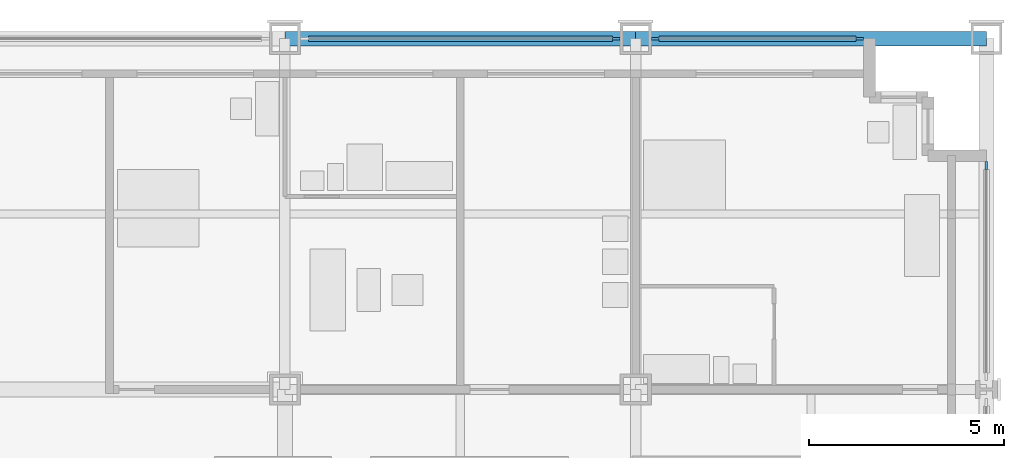
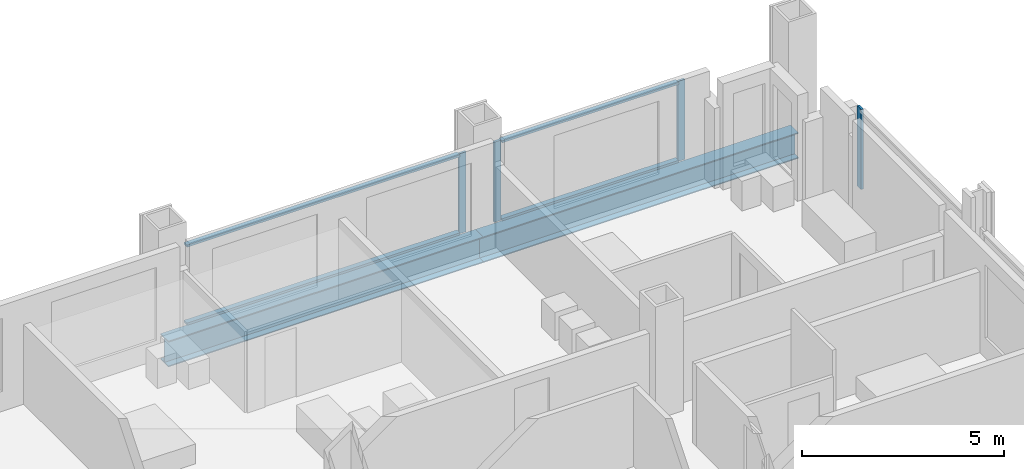
# One storey, part 8 of 18: 8 members, 2 beams, 3 elements without a shape of their own.
"""IFC4 building model written with IfcOpenShell, lengths in metres."""

from ifc_helpers import new_model, si_unit, direction, frame, origin, origin_2d, place, context, subcontext, project, spatial, rectangle, i_section, extrude, material, material_profile, profile_set, type_object, element, aggregate, save


model = new_model("IFC4")

# Units and contexts
model_context = context("Model", 3, precision=1e-05, world=origin(), true_north=direction((0.0, 1.0)))
body_context = subcontext(model_context, "Body", "Model", "MODEL_VIEW")
ifc_project = project(units=[si_unit("LENGTHUNIT", "METRE"), si_unit("AREAUNIT", "SQUARE_METRE"), si_unit("VOLUMEUNIT", "CUBIC_METRE"), si_unit("PLANEANGLEUNIT", "RADIAN"), si_unit("MASSUNIT", "GRAM", prefix="KILO")], contexts=[model_context])

# Site, building, storey
site_placement = place(None, origin())
site = spatial("IfcSite", under=ifc_project, at=site_placement, CompositionType="ELEMENT")
building_placement = place(site_placement, origin())
building = spatial("IfcBuilding", under=site, at=building_placement, Name="Loomwork Tower", CompositionType="ELEMENT")
storey_placement = place(building_placement, frame((0.0, 0.0, 58.60009765625)))
storey = spatial("IfcBuildingStorey", under=building, at=storey_placement, Name="L14", CompositionType="ELEMENT", Elevation=58.60009765625)

# Curtain wall, member
ifc_material_1 = material(Name="Aluminium curtain wall frame", Category="aluminium")
curtain_wall_type = type_object("IfcCurtainWallType", Name="Outer skin glazing hotel", PredefinedType="NOTDEFINED", material=ifc_material_1)
curtain_wall_1_placement = place(storey_placement, origin())
curtain_wall_1 = element("IfcCurtainWall", 1, at=curtain_wall_1_placement, inside=storey, type_object=curtain_wall_type, Name="Outer skin glazing hotel cw/N-36", PredefinedType="NOTDEFINED")
ifc_material_2 = material(Name="Aluminium curtain wall frame", Category="aluminium")
ifc_material_profile_1 = material_profile(ifc_material_2, rectangle(XDim=0.06494140625, YDim=0.199951171875, at=origin_2d()), Name="AL 65x200")
ifc_profile_set_1 = profile_set([ifc_material_profile_1], Name="Aluminium curtain wall frame")
member_type_1 = type_object("IfcMemberType", Name="Outer skin glazing hotel mullion", PredefinedType="MULLION", material=ifc_profile_set_1)
member_1_placement = place(storey_placement, frame((44.5, 36.0, 0.0), z_axis=(0.0, 0.0, 1.0), x_axis=(0.0, -1.0, 0.0)))
member_1 = element("IfcMember", 2, at=member_1_placement, type_object=member_type_1, Name="CW1 mullion 1", PredefinedType="MULLION", context=body_context, shape_type="SweptSolid", body=[
    extrude(rectangle(XDim=0.06494140625, YDim=0.199951171875, at=origin_2d()), origin(), (0.0, 0.0, 1.0), 2.420166015625),
])

# Curtain wall, members
curtain_wall_2_placement = place(storey_placement, origin())
curtain_wall_2 = element("IfcCurtainWall", 3, at=curtain_wall_2_placement, inside=storey, type_object=curtain_wall_type, Name="Outer skin glazing hotel cw/N-45", PredefinedType="NOTDEFINED")
member_2_placement = place(storey_placement, frame((50.75, 36.0, 0.0), z_axis=(0.0, 0.0, 1.0), x_axis=(0.0, -1.0, 0.0)))
member_2 = element("IfcMember", 4, at=member_2_placement, type_object=member_type_1, Name="CW1 mullion 1", PredefinedType="MULLION", context=body_context, shape_type="SweptSolid", body=[
    extrude(rectangle(XDim=0.06494140625, YDim=0.199951171875, at=origin_2d()), origin(), (0.0, 0.0, 1.0), 2.420166015625),
])
member_3_placement = place(storey_placement, frame((45.5, 36.0, 0.0), z_axis=(0.0, 0.0, 1.0), x_axis=(0.0, -1.0, 0.0)))
member_3 = element("IfcMember", 5, at=member_3_placement, type_object=member_type_1, Name="CW1 mullion 2", PredefinedType="MULLION", context=body_context, shape_type="SweptSolid", body=[
    extrude(rectangle(XDim=0.06494140625, YDim=0.199951171875, at=origin_2d()), origin(), (0.0, 0.0, 1.0), 2.420166015625),
])

# Curtain wall, member
curtain_wall_3_placement = place(storey_placement, origin())
curtain_wall_3 = element("IfcCurtainWall", 6, at=curtain_wall_3_placement, inside=storey, type_object=curtain_wall_type, Name="Outer skin glazing hotel cw/E-27", PredefinedType="NOTDEFINED")
member_4_placement = place(storey_placement, frame((54.0, 32.75, 0.0), z_axis=(0.0, 0.0, 1.0), x_axis=(-1.0, 0.0, 0.0)))
member_4 = element("IfcMember", 7, at=member_4_placement, type_object=member_type_1, Name="CW1 mullion 2", PredefinedType="MULLION", context=body_context, shape_type="SweptSolid", body=[
    extrude(rectangle(XDim=0.06494140625, YDim=0.199951171875, at=origin_2d()), origin(), (0.0, 0.0, 1.0), 2.420166015625),
])
aggregate(curtain_wall_3, [member_4])

# Member
ifc_material_3 = material(Name="Aluminium curtain wall frame", Category="aluminium")
ifc_material_profile_2 = material_profile(ifc_material_3, rectangle(XDim=0.14990234375, YDim=0.06494140625, at=origin_2d()), Name="AL 65x150")
ifc_profile_set_2 = profile_set([ifc_material_profile_2], Name="Aluminium curtain wall frame")
member_type_2 = type_object("IfcMemberType", Name="Outer skin glazing hotel transom", PredefinedType="USERDEFINED", material=ifc_profile_set_2)
member_5_placement = place(storey_placement, frame((44.39990234375, 36.0, 0.032470703125), z_axis=(-1.0, 0.0, 0.0), x_axis=(0.0, -1.0, 0.0)))
member_5 = element("IfcMember", 8, at=member_5_placement, type_object=member_type_2, Name="CW1 transom 1.1", ObjectType="TRANSOM", PredefinedType="USERDEFINED", context=body_context, shape_type="SweptSolid", body=[
    extrude(rectangle(XDim=0.14990234375, YDim=0.06494140625, at=origin_2d()), origin(), (0.0, 0.0, 1.0), 7.7998046875),
])

member_6_placement = place(storey_placement, frame((44.39990234375, 36.0, 2.3876953125), z_axis=(-1.0, 0.0, 0.0), x_axis=(0.0, -1.0, 0.0)))
member_6 = element("IfcMember", 9, at=member_6_placement, type_object=member_type_2, Name="CW1 transom 1.2", ObjectType="TRANSOM", PredefinedType="USERDEFINED", context=body_context, shape_type="SweptSolid", body=[
    extrude(rectangle(XDim=0.14990234375, YDim=0.06494140625, at=origin_2d()), origin(), (0.0, 0.0, 1.0), 7.7998046875),
])

aggregate(curtain_wall_1, [member_1, member_5, member_6])

member_7_placement = place(storey_placement, frame((50.64990234375, 36.0, 0.032470703125), z_axis=(-1.0, 0.0, 0.0), x_axis=(0.0, -1.0, 0.0)))
member_7 = element("IfcMember", 10, at=member_7_placement, type_object=member_type_2, Name="CW1 transom 1.1", ObjectType="TRANSOM", PredefinedType="USERDEFINED", context=body_context, shape_type="SweptSolid", body=[
    extrude(rectangle(XDim=0.14990234375, YDim=0.06494140625, at=origin_2d()), origin(), (0.0, 0.0, 1.0), 5.0498046875),
])

member_8_placement = place(storey_placement, frame((50.64990234375, 36.0, 2.3876953125), z_axis=(-1.0, 0.0, 0.0), x_axis=(0.0, -1.0, 0.0)))
member_8 = element("IfcMember", 11, at=member_8_placement, type_object=member_type_2, Name="CW1 transom 1.2", ObjectType="TRANSOM", PredefinedType="USERDEFINED", context=body_context, shape_type="SweptSolid", body=[
    extrude(rectangle(XDim=0.14990234375, YDim=0.06494140625, at=origin_2d()), origin(), (0.0, 0.0, 1.0), 5.0498046875),
])

aggregate(curtain_wall_2, [member_2, member_3, member_7, member_8])

# Beams
ifc_material_4 = material(Name="Steel ASTM A992", Category="steel")
ifc_material_profile_3 = material_profile(ifc_material_4, i_section(OverallWidth=0.381103515625, OverallDepth=0.77978515625, WebThickness=0.01806640625, FlangeThickness=0.0302734375, at=origin_2d()), Name="W30x191")
ifc_profile_set_3 = profile_set([ifc_material_profile_3], Name="Steel ASTM A992")
beam_type = type_object("IfcBeamType", Name="SPANDREL GIRDER W30x191", PredefinedType="SPANDREL", material=ifc_profile_set_3)
for number, where, z_axis, x_axis, name in (
    (12, (36.0, 36.0, -0.590087890625), (1.0, 0.0, 0.0), (0.0, 1.0, 0.0), "Spandrel Girder H/6-H/7 L14"),
    (13, (45.0, 36.0, -0.590087890625), (1.0, 0.0, 0.0), (0.0, 1.0, 0.0), "Spandrel Girder H/7-H/8 L14"),
):
    element("IfcBeam", number, at=place(storey_placement, frame(where, z_axis=z_axis, x_axis=x_axis)), inside=storey, type_object=beam_type, Name=name, PredefinedType="SPANDREL", context=body_context, shape_type="SweptSolid", body=[
        extrude(i_section(OverallWidth=0.381103515625, OverallDepth=0.77978515625, WebThickness=0.01806640625, FlangeThickness=0.0302734375, at=origin_2d()), origin(), (0.0, 0.0, 1.0), 9.0),
    ])

save(model, "model.ifc")
